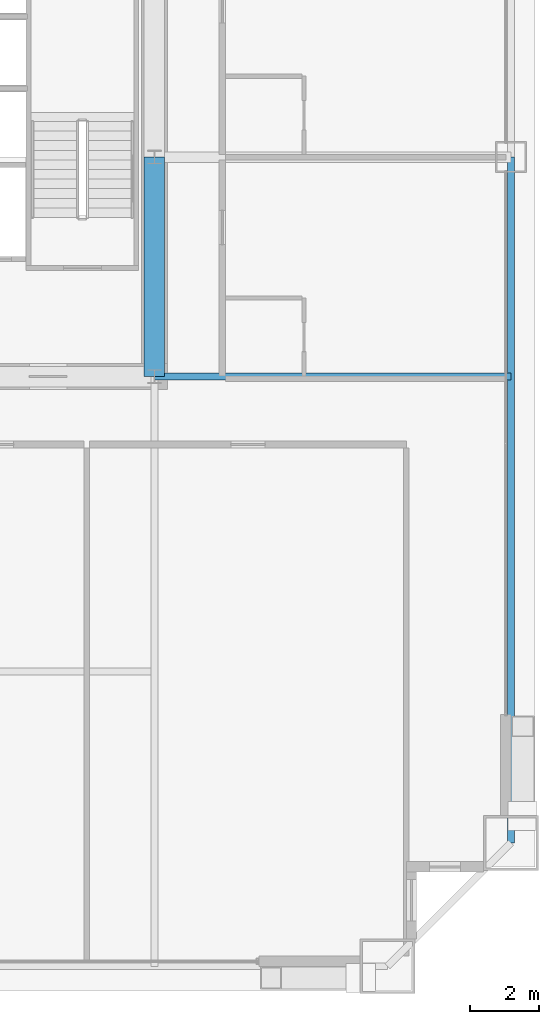
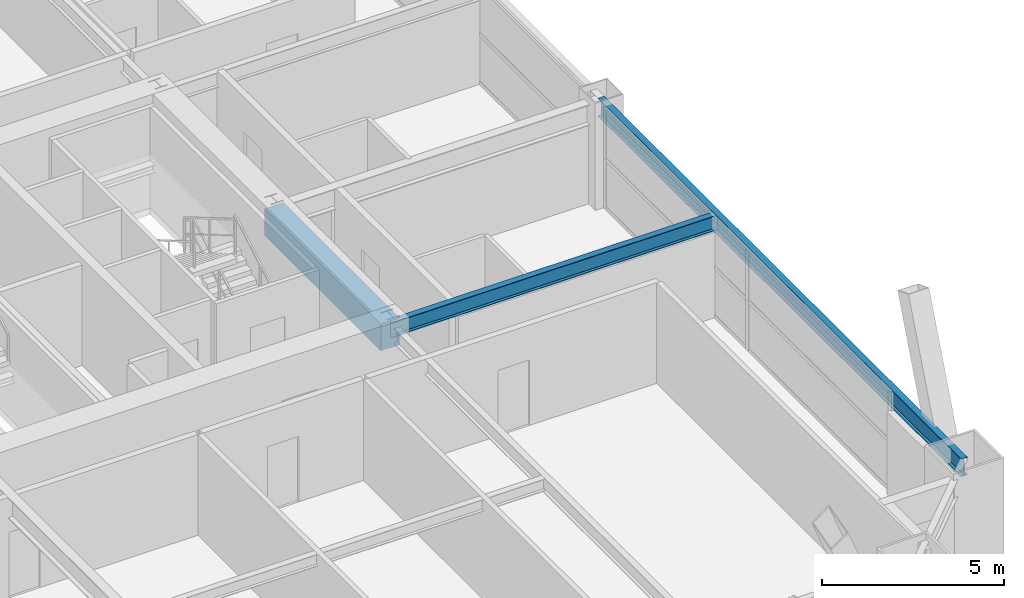
# One storey, part 20 of 43: 3 beams.
"""IFC4 building model written with IfcOpenShell, lengths in metres."""

from ifc_helpers import new_model, si_unit, direction, frame, origin, origin_2d, place, context, subcontext, project, spatial, rectangle, i_section, extrude, source, transform, mapped, material, material_profile, profile_set, type_object, element, save


model = new_model("IFC4")

# Units and contexts
model_context = context("Model", 3, precision=1e-05, world=origin(), true_north=direction((0.0, 1.0)))
body_context = subcontext(model_context, "Body", "Model", "MODEL_VIEW")
ifc_project = project(units=[si_unit("LENGTHUNIT", "METRE"), si_unit("AREAUNIT", "SQUARE_METRE"), si_unit("VOLUMEUNIT", "CUBIC_METRE"), si_unit("PLANEANGLEUNIT", "RADIAN"), si_unit("MASSUNIT", "GRAM", prefix="KILO"), si_unit("THERMODYNAMICTEMPERATUREUNIT", "KELVIN"), si_unit("POWERUNIT", "WATT")], contexts=[model_context])

# Site, building, storey
site_placement = place(None, origin())
site = spatial("IfcSite", under=ifc_project, at=site_placement, CompositionType="ELEMENT")
building_placement = place(site_placement, origin())
building = spatial("IfcBuilding", under=site, at=building_placement, Name="Yuzanri Waterfront Tower", CompositionType="ELEMENT")
storey_placement = place(building_placement, frame((0.0, 0.0, 138.0)))
storey = spatial("IfcBuildingStorey", under=building, at=storey_placement, Name="L36", CompositionType="ELEMENT", Elevation=138.0)

# Beams
ifc_material_1 = material(Name="Concrete C60", Category="concrete")
ifc_material_profile_1 = material_profile(ifc_material_1, rectangle(XDim=0.60009765625, YDim=0.89990234375, at=origin_2d()), Name="RC 600x900")
ifc_profile_set_1 = profile_set([ifc_material_profile_1], Name="Concrete C60")
beam_type_1 = type_object("IfcBeamType", Name="Core Coupling Lintel Concrete C60 600x900", PredefinedType="LINTEL", material=ifc_profile_set_1)
shared_shape_1 = source(origin(), body_context, "Body", "SweptSolid", [
    extrude(rectangle(XDim=0.60009765625, YDim=0.89990234375, at=origin_2d()), origin(), (0.0, 0.0, 1.0), 6.400146484375),
])
beam_1_placement = place(storey_placement, frame((50.199951171875, 19.39990234375, 2.929931640625), z_axis=(0.0, 1.0, 0.0), x_axis=(-1.0, 0.0, 0.0)))
element("IfcBeam", 1, at=beam_1_placement, inside=storey, type_object=beam_type_1, Name="L36 Core Tie Beam CE1", PredefinedType="LINTEL", context=body_context, shape_type="MappedRepresentation", body=[
    mapped(shared_shape_1, transform((0.0, 0.0, 0.0), scale=1.0)),
])
ifc_material_2 = material(Name="Steel Q355B", Category="steel")
ifc_material_profile_2 = material_profile(ifc_material_2, i_section(OverallWidth=0.199951171875, OverallDepth=0.60009765625, WebThickness=0.010986328125, FlangeThickness=0.01708984375, at=origin_2d()), Name="HN 600x200x11x17")
ifc_profile_set_2 = profile_set([ifc_material_profile_2], Name="Steel Q355B")
beam_type_2 = type_object("IfcBeamType", Name="Perimeter Spandrel Q355B HN 600x200", PredefinedType="SPANDREL", material=ifc_profile_set_2)
shared_shape_2 = source(origin(), body_context, "Body", "SweptSolid", [
    extrude(i_section(OverallWidth=0.199951171875, OverallDepth=0.60009765625, WebThickness=0.010986328125, FlangeThickness=0.01708984375, at=origin_2d()), origin(), (0.0, 0.0, 1.0), 20.0),
])
beam_2_placement = place(storey_placement, frame((60.60009765625, 5.800048828125, 3.080078125), z_axis=(0.0, 1.0, 0.0), x_axis=(-1.0, 0.0, 0.0)))
element("IfcBeam", 2, at=beam_2_placement, inside=storey, type_object=beam_type_2, Name="L36 Perimeter Spandrel E1-E2", PredefinedType="SPANDREL", context=body_context, shape_type="MappedRepresentation", body=[
    mapped(shared_shape_2, transform((0.0, 0.0, 0.0), scale=1.0)),
])
ifc_material_3 = material(Name="Steel Q355B", Category="steel")
ifc_material_profile_3 = material_profile(ifc_material_3, i_section(OverallWidth=0.199951171875, OverallDepth=0.5, WebThickness=0.010009765625, FlangeThickness=0.01611328125, at=origin_2d()), Name="HN 500x200x10x16")
ifc_profile_set_3 = profile_set([ifc_material_profile_3], Name="Steel Q355B")
beam_type_3 = type_object("IfcBeamType", Name="Secondary Floor Beam Q355B HN 500x200", PredefinedType="BEAM", material=ifc_profile_set_3)
shared_shape_3 = source(origin(), body_context, "Body", "SweptSolid", [
    extrude(i_section(OverallWidth=0.199951171875, OverallDepth=0.5, WebThickness=0.010009765625, FlangeThickness=0.01611328125, at=origin_2d()), origin(), (0.0, 0.0, 1.0), 10.400146484375),
])
beam_3_placement = place(storey_placement, frame((50.199951171875, 19.39990234375, 3.1298828125), z_axis=(1.0, 0.0, 0.0), x_axis=(0.0, 1.0, 0.0)))
element("IfcBeam", 3, at=beam_3_placement, inside=storey, type_object=beam_type_3, Name="L36 East-South Core Line Beam", PredefinedType="BEAM", context=body_context, shape_type="MappedRepresentation", body=[
    mapped(shared_shape_3, transform((0.0, 0.0, 0.0), scale=1.0)),
])

save(model, "model.ifc")
